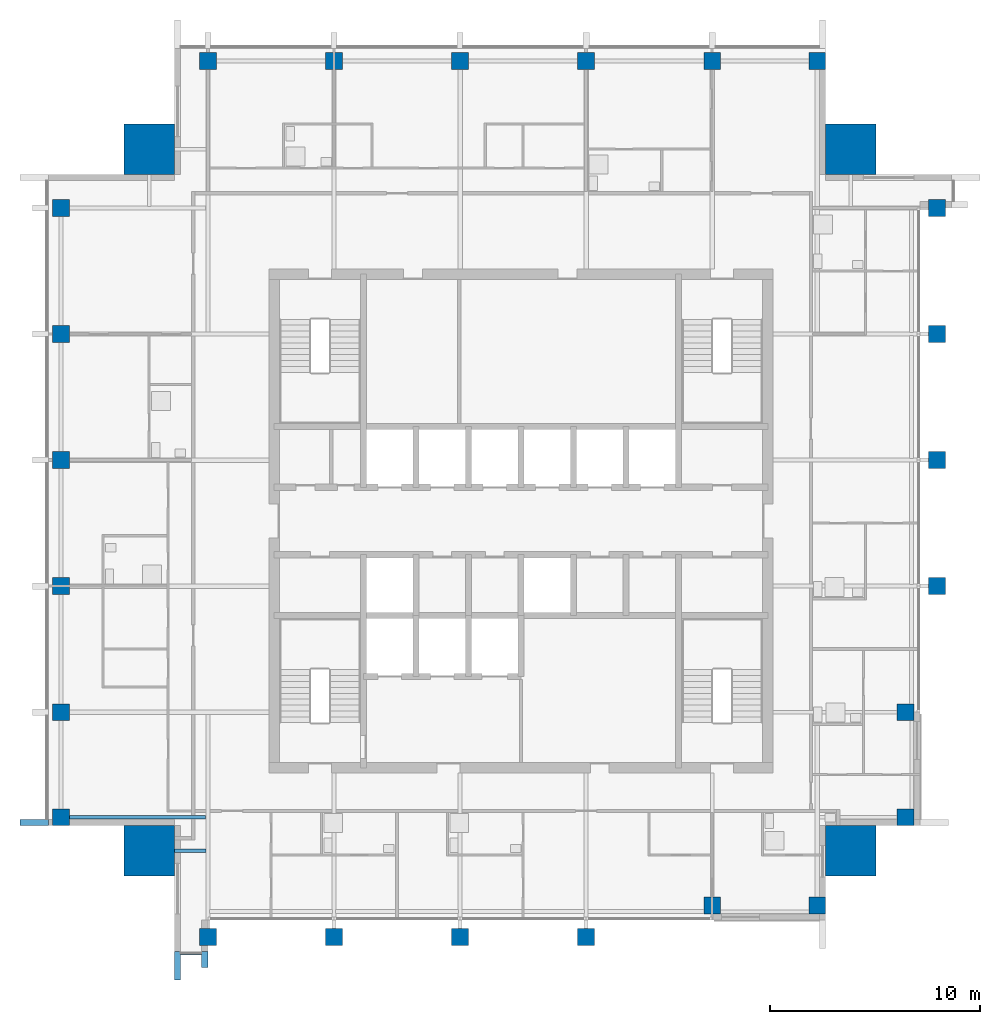
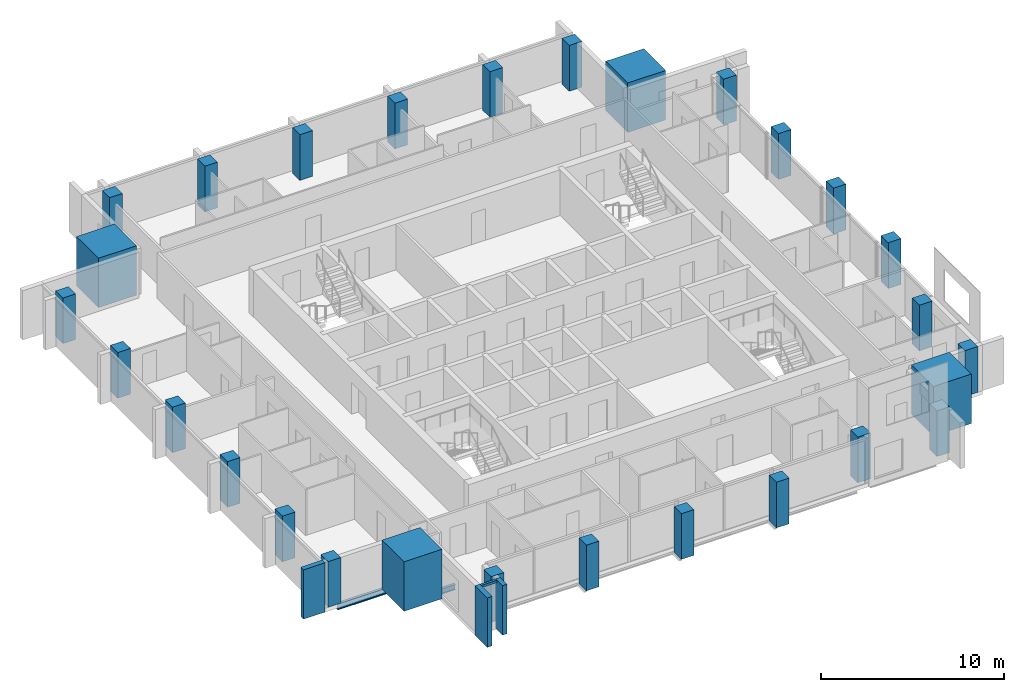
# One storey, part 1 of 13: 28 columns, 4 members, 2 beams, 2 elements without a shape of their own.
"""IFC4 building model written with IfcOpenShell, lengths in metres."""

from ifc_helpers import new_model, si_unit, direction, frame, origin, origin_2d, place, context, subcontext, project, spatial, rectangle, i_section, extrude, material, material_profile, profile_set, type_object, element, aggregate, save


model = new_model("IFC4")

# Units and contexts
model_context = context("Model", 3, precision=1e-05, world=origin(), true_north=direction((0.0, 1.0)))
body_context = subcontext(model_context, "Body", "Model", "MODEL_VIEW")
ifc_project = project(units=[si_unit("LENGTHUNIT", "METRE"), si_unit("AREAUNIT", "SQUARE_METRE"), si_unit("VOLUMEUNIT", "CUBIC_METRE"), si_unit("PLANEANGLEUNIT", "RADIAN"), si_unit("MASSUNIT", "GRAM", prefix="KILO")], contexts=[model_context])

# Site, building, storey
site_placement = place(None, origin())
site = spatial("IfcSite", under=ifc_project, at=site_placement, CompositionType="ELEMENT")
building_placement = place(site_placement, origin())
building = spatial("IfcBuilding", under=site, at=building_placement, Name="Amberfall Residences", CompositionType="ELEMENT")
storey_placement = place(building_placement, frame((0.0, 0.0, 271.89990234375)))
storey = spatial("IfcBuildingStorey", under=building, at=storey_placement, Name="L73", CompositionType="ELEMENT", Elevation=271.89990234375)

# Columns
ifc_material_1 = material(Name="Concrete C50", Category="concrete")
ifc_material_profile_1 = material_profile(ifc_material_1, rectangle(XDim=0.800048828125, YDim=0.800048828125, at=origin_2d()), Name="Column 800 x 800 C50")
ifc_profile_set_1 = profile_set([ifc_material_profile_1], Name="Concrete C50")
column_type_1 = type_object("IfcColumnType", Name="Column 800 x 800 C50", PredefinedType="COLUMN", material=ifc_profile_set_1)
for number, where, z_axis, x_axis, name in (
    (1, (59.60009765625, 25.699951171875, 0.0), (0.0, 0.0, 1.0), (1.0, 0.0, 0.0), "Column C5 L73 S1"),
    (2, (65.60009765625, 25.699951171875, 0.0), (0.0, 0.0, 1.0), (1.0, 0.0, 0.0), "Column C5 L73 S2"),
    (3, (71.60009765625, 25.699951171875, 0.0), (0.0, 0.0, 1.0), (1.0, 0.0, 0.0), "Column C5 L73 S3"),
    (4, (77.60009765625, 25.699951171875, 0.0), (0.0, 0.0, 1.0), (1.0, 0.0, 0.0), "Column C5 L73 S4"),
    (5, (83.60009765625, 27.199951171875, 0.0), (0.0, 0.0, 1.0), (1.0, 0.0, 0.0), "Column C5 L73 S5"),
    (6, (88.60009765625, 27.199951171875, 0.0), (0.0, 0.0, 1.0), (1.0, 0.0, 0.0), "Column C5 L73 S6"),
    (7, (92.800048828125, 31.39990234375, 0.0), (0.0, 0.0, 1.0), (1.0, 0.0, 0.0), "Column C5 L73 E1"),
    (8, (92.800048828125, 36.39990234375, 0.0), (0.0, 0.0, 1.0), (1.0, 0.0, 0.0), "Column C5 L73 E2"),
    (9, (94.300048828125, 42.39990234375, 0.0), (0.0, 0.0, 1.0), (1.0, 0.0, 0.0), "Column C5 L73 E3"),
    (10, (94.300048828125, 48.39990234375, 0.0), (0.0, 0.0, 1.0), (1.0, 0.0, 0.0), "Column C5 L73 E4"),
    (11, (94.300048828125, 54.39990234375, 0.0), (0.0, 0.0, 1.0), (1.0, 0.0, 0.0), "Column C5 L73 E5"),
    (12, (94.300048828125, 60.39990234375, 0.0), (0.0, 0.0, 1.0), (1.0, 0.0, 0.0), "Column C5 L73 E6"),
    (13, (59.60009765625, 67.39990234375, 0.0), (0.0, 0.0, 1.0), (1.0, 0.0, 0.0), "Column C5 L73 N1"),
    (14, (65.60009765625, 67.39990234375, 0.0), (0.0, 0.0, 1.0), (1.0, 0.0, 0.0), "Column C5 L73 N2"),
    (15, (71.60009765625, 67.39990234375, 0.0), (0.0, 0.0, 1.0), (1.0, 0.0, 0.0), "Column C5 L73 N3"),
    (16, (77.60009765625, 67.39990234375, 0.0), (0.0, 0.0, 1.0), (1.0, 0.0, 0.0), "Column C5 L73 N4"),
    (17, (83.60009765625, 67.39990234375, 0.0), (0.0, 0.0, 1.0), (1.0, 0.0, 0.0), "Column C5 L73 N5"),
    (18, (88.60009765625, 67.39990234375, 0.0), (0.0, 0.0, 1.0), (1.0, 0.0, 0.0), "Column C5 L73 N6"),
    (19, (52.60009765625, 31.39990234375, 0.0), (0.0, 0.0, 1.0), (1.0, 0.0, 0.0), "Column C5 L73 W1"),
    (20, (52.60009765625, 36.39990234375, 0.0), (0.0, 0.0, 1.0), (1.0, 0.0, 0.0), "Column C5 L73 W2"),
    (21, (52.60009765625, 42.39990234375, 0.0), (0.0, 0.0, 1.0), (1.0, 0.0, 0.0), "Column C5 L73 W3"),
    (22, (52.60009765625, 48.39990234375, 0.0), (0.0, 0.0, 1.0), (1.0, 0.0, 0.0), "Column C5 L73 W4"),
    (23, (52.60009765625, 54.39990234375, 0.0), (0.0, 0.0, 1.0), (1.0, 0.0, 0.0), "Column C5 L73 W5"),
    (24, (52.60009765625, 60.39990234375, 0.0), (0.0, 0.0, 1.0), (1.0, 0.0, 0.0), "Column C5 L73 W6"),
):
    element("IfcColumn", number, at=place(storey_placement, frame(where, z_axis=z_axis, x_axis=x_axis)), inside=storey, type_object=column_type_1, Name=name, PredefinedType="COLUMN", context=body_context, shape_type="SweptSolid", body=[
        extrude(rectangle(XDim=0.800048828125, YDim=0.800048828125, at=origin_2d()), origin(), (0.0, 0.0, 1.0), 3.050048828125),
    ])
ifc_material_profile_2 = material_profile(ifc_material_1, rectangle(XDim=2.39990234375, YDim=2.39990234375, at=origin_2d()), Name="Mega column 2400 x 2400 C50")
ifc_profile_set_2 = profile_set([ifc_material_profile_2], Name="Concrete C50")
column_type_2 = type_object("IfcColumnType", Name="Mega column 2400 x 2400 C50", PredefinedType="COLUMN", material=ifc_profile_set_2)
for number, where, z_axis, x_axis, name in (
    (25, (56.800048828125, 29.800048828125, 0.0), (0.0, 0.0, 1.0), (1.0, 0.0, 0.0), "Mega column MC11 L73 SW"),
    (26, (90.199951171875, 29.800048828125, 0.0), (0.0, 0.0, 1.0), (1.0, 0.0, 0.0), "Mega column MC11 L73 SE"),
    (27, (90.199951171875, 63.199951171875, 0.0), (0.0, 0.0, 1.0), (1.0, 0.0, 0.0), "Mega column MC11 L73 NE"),
    (28, (56.800048828125, 63.199951171875, 0.0), (0.0, 0.0, 1.0), (1.0, 0.0, 0.0), "Mega column MC11 L73 NW"),
):
    element("IfcColumn", number, at=place(storey_placement, frame(where, z_axis=z_axis, x_axis=x_axis)), inside=storey, type_object=column_type_2, Name=name, PredefinedType="COLUMN", context=body_context, shape_type="SweptSolid", body=[
        extrude(rectangle(XDim=2.39990234375, YDim=2.39990234375, at=origin_2d()), origin(), (0.0, 0.0, 1.0), 3.300048828125),
    ])

# Curtain wall, members
ifc_material_2 = material(Name="Bronze anodised aluminium and glass", Category="aluminium")
curtain_wall_type = type_object("IfcCurtainWallType", Name="Curtain wall CW1 tower unit", PredefinedType="USERDEFINED", material=ifc_material_2)
curtain_wall_1_placement = place(storey_placement, origin())
curtain_wall_1 = element("IfcCurtainWall", 29, at=curtain_wall_1_placement, inside=storey, type_object=curtain_wall_type, Name="Curtain wall L73 S S1", ObjectType="UNITISED CURTAIN WALL", PredefinedType="USERDEFINED")
ifc_material_3 = material(Name="Bronze anodised aluminium", Category="aluminium")
ifc_material_profile_3 = material_profile(ifc_material_3, rectangle(XDim=0.14990234375, YDim=0.14990234375, at=origin_2d()), Name="CW1 transom 150 x 150 bronze")
ifc_profile_set_3 = profile_set([ifc_material_profile_3], Name="Bronze anodised aluminium")
member_type_1 = type_object("IfcMemberType", Name="CW1 transom 150 x 150 bronze", PredefinedType="USERDEFINED", material=ifc_profile_set_3)
member_1_placement = place(storey_placement, frame((58.300048828125, 24.925048828125, 2.97509765625), z_axis=(1.0, 0.0, 0.0), x_axis=(0.0, 1.0, 0.0)))
member_1 = element("IfcMember", 30, at=member_1_placement, type_object=member_type_1, Name="CW1 transom 1.1", ObjectType="TRANSOM", PredefinedType="USERDEFINED", context=body_context, shape_type="SweptSolid", body=[
    extrude(rectangle(XDim=0.14990234375, YDim=0.14990234375, at=origin_2d()), origin(), (0.0, 0.0, 1.0), 1.0),
])
ifc_material_profile_4 = material_profile(ifc_material_3, rectangle(XDim=1.35009765625, YDim=0.300048828125, at=origin_2d()), Name="Corner fin 300 x 1350 bronze")
ifc_profile_set_4 = profile_set([ifc_material_profile_4], Name="Bronze anodised aluminium")
member_type_2 = type_object("IfcMemberType", Name="Corner fin 300 x 1350 bronze", PredefinedType="MULLION", material=ifc_profile_set_4)
member_2_placement = place(storey_placement, frame((58.14990234375, 24.324951171875, -0.25), z_axis=(0.0, 0.0, 1.0), x_axis=(0.0, 1.0, 0.0)))
member_2 = element("IfcMember", 31, at=member_2_placement, type_object=member_type_2, Name="CW FIN 1", PredefinedType="MULLION", context=body_context, shape_type="SweptSolid", body=[
    extrude(rectangle(XDim=1.35009765625, YDim=0.300048828125, at=origin_2d()), origin(), (0.0, 0.0, 1.0), 3.300048828125),
])

# Curtain wall, member
curtain_wall_2_placement = place(storey_placement, origin())
curtain_wall_2 = element("IfcCurtainWall", 32, at=curtain_wall_2_placement, inside=storey, type_object=curtain_wall_type, Name="Curtain wall L73 W W1", ObjectType="UNITISED CURTAIN WALL", PredefinedType="USERDEFINED")
member_3_placement = place(storey_placement, frame((51.324951171875, 31.14990234375, -0.25), z_axis=(0.0, 0.0, 1.0), x_axis=(1.0, 0.0, 0.0)))
member_3 = element("IfcMember", 33, at=member_3_placement, type_object=member_type_2, Name="CW FIN 7", PredefinedType="MULLION", context=body_context, shape_type="SweptSolid", body=[
    extrude(rectangle(XDim=1.35009765625, YDim=0.300048828125, at=origin_2d()), origin(), (0.0, 0.0, 1.0), 3.300048828125),
])
aggregate(curtain_wall_2, [member_3])

# Member
ifc_material_profile_5 = material_profile(ifc_material_3, rectangle(XDim=0.75, YDim=0.300048828125, at=origin_2d()), Name="Fin 300 x 750 bronze")
ifc_profile_set_5 = profile_set([ifc_material_profile_5], Name="Bronze anodised aluminium")
member_type_3 = type_object("IfcMemberType", Name="Fin 300 x 750 bronze", PredefinedType="MULLION", material=ifc_profile_set_5)
member_4_placement = place(storey_placement, frame((59.449951171875, 24.625, -0.25), z_axis=(0.0, 0.0, 1.0), x_axis=(0.0, 1.0, 0.0)))
member_4 = element("IfcMember", 34, at=member_4_placement, type_object=member_type_3, Name="CW FIN 2", PredefinedType="MULLION", context=body_context, shape_type="SweptSolid", body=[
    extrude(rectangle(XDim=0.75, YDim=0.300048828125, at=origin_2d()), origin(), (0.0, 0.0, 1.0), 3.300048828125),
])

aggregate(curtain_wall_1, [member_2, member_4, member_1])

# Beams
ifc_material_4 = material(Name="Steel S355", Category="steel")
ifc_material_profile_6 = material_profile(ifc_material_4, i_section(OverallWidth=0.177734375, OverallDepth=0.402587890625, WebThickness=0.0078125, FlangeThickness=0.010986328125, FilletRadius=0.01025390625, at=origin_2d()), Name="UB 406x178x54")
ifc_profile_set_6 = profile_set([ifc_material_profile_6], Name="Steel S355")
beam_type_1 = type_object("IfcBeamType", Name="Floor girder UB 406x178x54", PredefinedType="BEAM", material=ifc_profile_set_6)
beam_1_placement = place(storey_placement, frame((53.0, 31.39990234375, -0.451171875), z_axis=(1.0, 0.0, 0.0), x_axis=(0.0, 1.0, 0.0)))
element("IfcBeam", 35, at=beam_1_placement, inside=storey, type_object=beam_type_1, Name="Floor girder B4 L73 39", PredefinedType="BEAM", context=body_context, shape_type="SweptSolid", body=[
    extrude(i_section(OverallWidth=0.177734375, OverallDepth=0.402587890625, WebThickness=0.0078125, FlangeThickness=0.010986328125, FilletRadius=0.01025390625, at=origin_2d()), origin(), (0.0, 0.0, 1.0), 6.47998046875),
])
ifc_material_profile_7 = material_profile(ifc_material_4, i_section(OverallWidth=0.171142578125, OverallDepth=0.351318359375, WebThickness=0.007080078125, FlangeThickness=0.009765625, FilletRadius=0.01025390625, at=origin_2d()), Name="UB 356x171x45")
ifc_profile_set_7 = profile_set([ifc_material_profile_7], Name="Steel S355")
beam_type_2 = type_object("IfcBeamType", Name="Link beam UB 356x171x45", PredefinedType="BEAM", material=ifc_profile_set_7)
beam_2_placement = place(storey_placement, frame((58.0, 29.800048828125, -0.425537109375), z_axis=(1.0, 0.0, 0.0), x_axis=(0.0, 1.0, 0.0)))
element("IfcBeam", 36, at=beam_2_placement, inside=storey, type_object=beam_type_2, Name="Link beam B7 L73 45", PredefinedType="BEAM", context=body_context, shape_type="SweptSolid", body=[
    extrude(i_section(OverallWidth=0.171142578125, OverallDepth=0.351318359375, WebThickness=0.007080078125, FlangeThickness=0.009765625, FilletRadius=0.01025390625, at=origin_2d()), origin(), (0.0, 0.0, 1.0), 1.50537109375),
])

save(model, "model.ifc")
